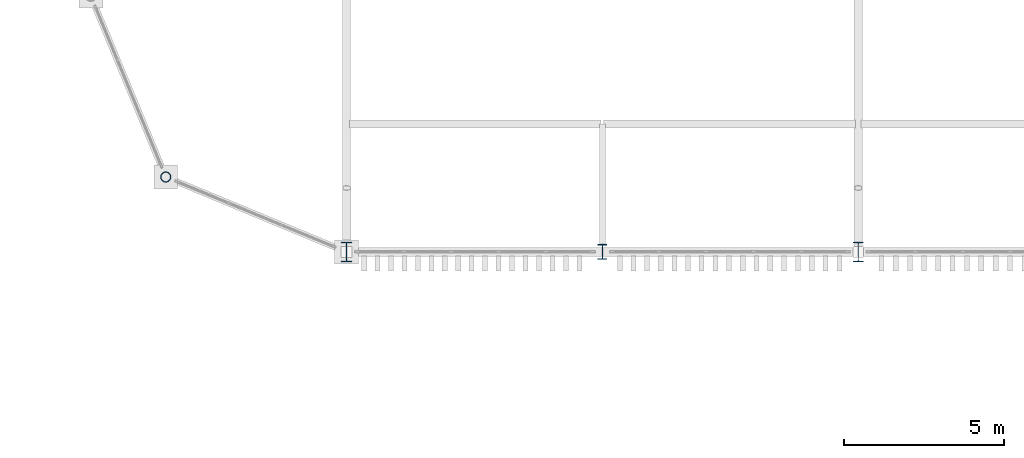
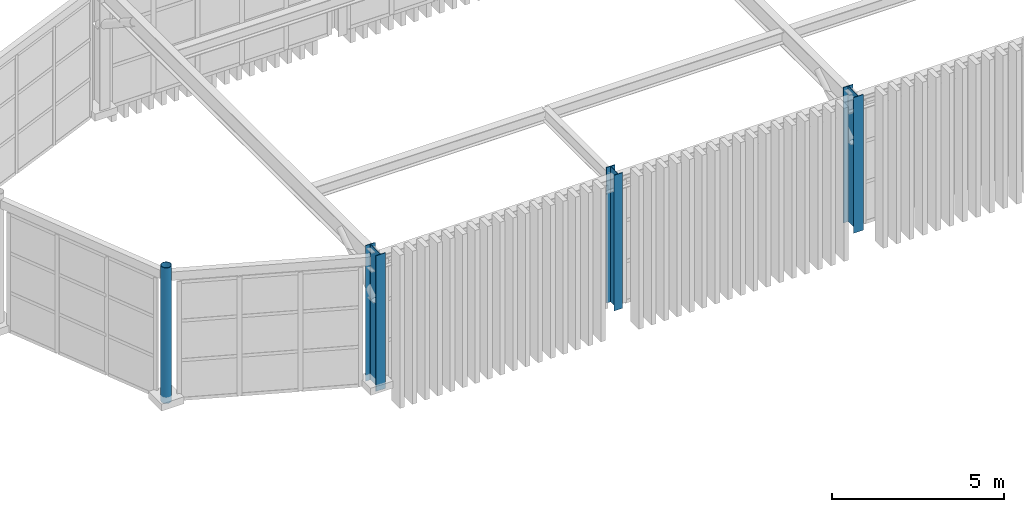
# One storey, part 2 of 61: 4 columns.
"""IFC4 building model written with IfcOpenShell, lengths in metres."""

from ifc_helpers import new_model, si_unit, direction, frame, origin, origin_2d, place, context, subcontext, project, spatial, hollow_circle, i_section, extrude, material, material_profile, profile_set, type_object, element, save


model = new_model("IFC4")

# Units and contexts
model_context = context("Model", 3, precision=1e-05, world=origin(), true_north=direction((0.0, 1.0)))
body_context = subcontext(model_context, "Body", "Model", "MODEL_VIEW")
ifc_project = project(units=[si_unit("LENGTHUNIT", "METRE"), si_unit("AREAUNIT", "SQUARE_METRE"), si_unit("VOLUMEUNIT", "CUBIC_METRE"), si_unit("PLANEANGLEUNIT", "RADIAN"), si_unit("MASSUNIT", "GRAM", prefix="KILO")], contexts=[model_context])

# Site, building, storey
site_placement = place(None, origin())
site = spatial("IfcSite", under=ifc_project, at=site_placement, CompositionType="ELEMENT")
building_placement = place(site_placement, origin())
building = spatial("IfcBuilding", under=site, at=building_placement, Name="Serraluz Foothill Cableway Terminal", CompositionType="ELEMENT")
storey_placement = place(building_placement, frame((0.0, 0.0, 15.0)))
storey = spatial("IfcBuildingStorey", under=building, at=storey_placement, Name="L03", CompositionType="ELEMENT", Elevation=15.0)

# Columns
ifc_material_1 = material(Name="Steel ASTM A572 Grade 50", Category="steel")
ifc_material_profile_1 = material_profile(ifc_material_1, hollow_circle(Radius=0.161865234375, WallThickness=0.01611328125, at=origin_2d()), Name="CHS324X16")
ifc_profile_set_1 = profile_set([ifc_material_profile_1], Name="Steel ASTM A572 Grade 50")
column_type_1 = type_object("IfcColumnType", Name="TYP-COL-CHS324", PredefinedType="COLUMN", material=ifc_profile_set_1)
column_1_placement = place(storey_placement, frame((34.343017578125, 58.343017578125, 0.0), z_axis=(0.0, 0.0, 1.0), x_axis=(1.0, 0.0, 0.0)))
element("IfcColumn", 1, at=column_1_placement, inside=storey, type_object=column_type_1, Name="Column COL-V1-ARC-W1-L03", PredefinedType="COLUMN", context=body_context, shape_type="SweptSolid", body=[
    extrude(hollow_circle(Radius=0.161865234375, WallThickness=0.01611328125, at=origin_2d()), origin(), (0.0, 0.0, 1.0), 4.800048828125),
])
ifc_material_2 = material(Name="Steel ASTM A992 Grade 50", Category="steel")
ifc_material_profile_2 = material_profile(ifc_material_2, i_section(OverallWidth=0.282958984375, OverallDepth=0.471923828125, WebThickness=0.013671875, FlangeThickness=0.022216796875, FilletRadius=0.014892578125, at=origin_2d()), Name="W18X97")
ifc_profile_set_2 = profile_set([ifc_material_profile_2], Name="Steel ASTM A992 Grade 50")
column_type_2 = type_object("IfcColumnType", Name="TYP-COL-W18X97", PredefinedType="COLUMN", material=ifc_profile_set_2)
column_2_placement = place(storey_placement, frame((48.0, 56.0, 0.0), z_axis=(0.0, 0.0, 1.0), x_axis=(1.0, 0.0, 0.0)))
element("IfcColumn", 2, at=column_2_placement, inside=storey, type_object=column_type_2, Name="Column COL-V1-S-48-L03", PredefinedType="COLUMN", context=body_context, shape_type="SweptSolid", body=[
    extrude(i_section(OverallWidth=0.282958984375, OverallDepth=0.471923828125, WebThickness=0.013671875, FlangeThickness=0.022216796875, FilletRadius=0.014892578125, at=origin_2d()), origin(), (0.0, 0.0, 1.0), 4.800048828125),
])
ifc_material_profile_3 = material_profile(ifc_material_2, i_section(OverallWidth=0.324951171875, OverallDepth=0.615966796875, WebThickness=0.013916015625, FlangeThickness=0.021484375, FilletRadius=0.01806640625, at=origin_2d()), Name="W24X117")
ifc_profile_set_3 = profile_set([ifc_material_profile_3], Name="Steel ASTM A992 Grade 50")
column_type_3 = type_object("IfcColumnType", Name="TYP-COL-W24X117", PredefinedType="COLUMN", material=ifc_profile_set_3)
for number, where, z_axis, x_axis, name in (
    (3, (40.0, 56.0, 0.0), (0.0, 0.0, 1.0), (1.0, 0.0, 0.0), "Column COL-V1-S-40-L03"),
    (4, (56.0, 56.0, 0.0), (0.0, 0.0, 1.0), (1.0, 0.0, 0.0), "Column COL-V1-S-56-L03"),
):
    element("IfcColumn", number, at=place(storey_placement, frame(where, z_axis=z_axis, x_axis=x_axis)), inside=storey, type_object=column_type_3, Name=name, PredefinedType="COLUMN", context=body_context, shape_type="SweptSolid", body=[
        extrude(i_section(OverallWidth=0.324951171875, OverallDepth=0.615966796875, WebThickness=0.013916015625, FlangeThickness=0.021484375, FilletRadius=0.01806640625, at=origin_2d()), origin(), (0.0, 0.0, 1.0), 4.800048828125),
    ])

save(model, "model.ifc")
